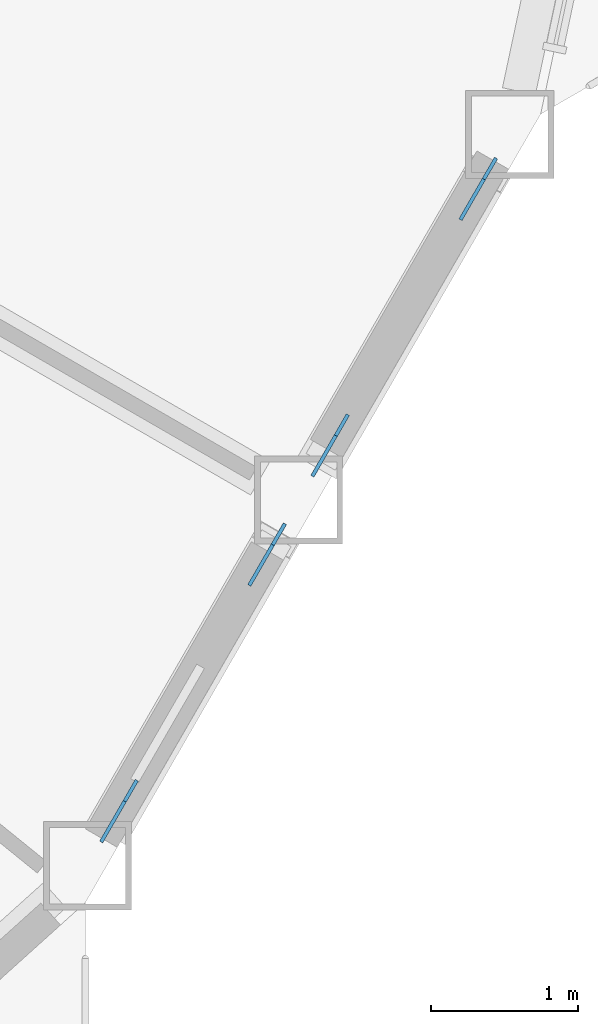
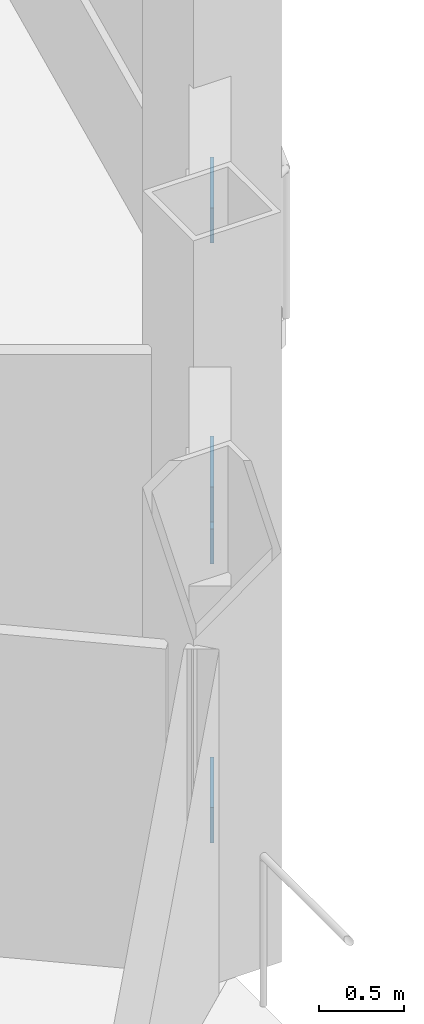
# One storey, part 21 of 27: 4 discrete accessories.
"""IFC4 building model written with IfcOpenShell, lengths in metres."""

import ifcopenshell
import ifcopenshell.guid

model = None  # the IFC model being written
_history = None  # IfcOwnerHistory: only IFC2X3 demands one
_inside = {}  # id of a spatial element -> (the spatial element, [elements in it])
_under = {}  # id of a project, library or spatial element -> (it, [spatial elements below it])
_declared = {}  # id of a project -> (the project, [libraries it declares])
_typed = {}  # id of a type object -> (the type object, [elements of that type])
_made_of = {}  # id of a material, layer set ... -> (it, [elements and type objects made of it])


def new_model(schema):
    """Start an empty IFC model of exactly this schema.

    Asked for "IFC4X3", IfcOpenShell would pick the latest addendum, in which some entities
    have other attributes; the version numbers below select the first issue.
    IFC2X3 requires an IfcOwnerHistory on every rooted entity: one is made here for all.
    """
    global model, _history
    if schema == "IFC4X3":
        model = ifcopenshell.file(schema_version=(4, 3, 0, 0))
    else:
        model = ifcopenshell.file(schema=schema)
    _inside.clear()
    _under.clear()
    _declared.clear()
    _typed.clear()
    _made_of.clear()
    _history = None
    if model.schema == "IFC2X3":
        org = make("IfcOrganization", Name="unknown")
        user = make(
            "IfcPersonAndOrganization",
            ThePerson=make("IfcPerson", FamilyName="unknown"),
            TheOrganization=org,
        )
        app = make(
            "IfcApplication",
            ApplicationDeveloper=org,
            Version="unknown",
            ApplicationFullName="unknown",
            ApplicationIdentifier="unknown",
        )
        _history = make(
            "IfcOwnerHistory",
            OwningUser=user,
            OwningApplication=app,
            ChangeAction="ADDED",
            CreationDate=0,
        )
    return model


def make(cls, **values):
    """One entity of the class cls with the attributes given. An attribute that is None is left unset."""
    return model.create_entity(
        cls, **{name: value for name, value in values.items() if value is not None}
    )


def rooted(cls, **values):
    """An entity with a GlobalId (a new one), such as an element, a storey or a relation."""
    return make(cls, GlobalId=ifcopenshell.guid.new(), OwnerHistory=_history, **values)


def si_unit(unit_type, name, prefix=None):
    """IfcSIUnit, for example si_unit("LENGTHUNIT", "METRE", prefix="MILLI")."""
    return make("IfcSIUnit", UnitType=unit_type, Prefix=prefix, Name=name)


def assignment(units):
    """IfcUnitAssignment: the units of a project."""
    return None if units is None else make("IfcUnitAssignment", Units=units)


def point(xyz):
    """IfcCartesianPoint."""
    return None if xyz is None else make("IfcCartesianPoint", Coordinates=xyz)


def direction(xyz):
    """IfcDirection."""
    return None if xyz is None else make("IfcDirection", DirectionRatios=xyz)


def frame(location, z_axis=None, x_axis=None):
    """IfcAxis2Placement3D, a coordinate frame: its origin and axes. An axis left out is left unset."""
    return make(
        "IfcAxis2Placement3D",
        Location=point(location),
        Axis=direction(z_axis),
        RefDirection=direction(x_axis),
    )


def frame_2d(location, x_axis=None):
    """IfcAxis2Placement2D, a coordinate frame in the plane: its origin and x axis."""
    return make(
        "IfcAxis2Placement2D", Location=point(location), RefDirection=direction(x_axis)
    )


def origin():
    """The frame at (0, 0, 0) with its axes left unset."""
    return frame((0.0, 0.0, 0.0))


def origin_2d():
    """The frame at (0, 0) in the plane with its x axis left unset."""
    return frame_2d((0.0, 0.0))


def place(relative_to, where):
    """IfcLocalPlacement: puts the frame where relative to a parent placement (None: the world)."""
    return make(
        "IfcLocalPlacement", PlacementRelTo=relative_to, RelativePlacement=where
    )


def context(
    kind, dimensions, precision=None, world=None, true_north=None, identifier=None
):
    """IfcGeometricRepresentationContext, for example the 3D "Model" context."""
    return make(
        "IfcGeometricRepresentationContext",
        ContextIdentifier=identifier,
        ContextType=kind,
        CoordinateSpaceDimension=dimensions,
        Precision=precision,
        WorldCoordinateSystem=world,
        TrueNorth=true_north,
    )


def subcontext(parent, identifier, kind, view, scale=None):
    """IfcGeometricRepresentationSubContext, for example "Body" below "Model"."""
    return make(
        "IfcGeometricRepresentationSubContext",
        ContextIdentifier=identifier,
        ContextType=kind,
        ParentContext=parent,
        TargetScale=scale,
        TargetView=view,
    )


def project(units=None, contexts=None):
    """IfcProject with its units and contexts."""
    return rooted(
        "IfcProject",
        Name="project",
        RepresentationContexts=contexts,
        UnitsInContext=assignment(units),
    )


def spatial(cls, under=None, at=None, **own):
    """A site, building, storey or space (cls), placed at a placement, below another one or the project."""
    s = rooted(cls, ObjectPlacement=at, **own)
    if under is not None:
        _under.setdefault(under.id(), (under, []))[1].append(s)
    return s


def profile(cls, at=None, kind="AREA", **sizes):
    """A parametric profile (cls). Its sizes go by their IFC names, for example OverallWidth=200.0."""
    return make(cls, ProfileType=kind, Position=at, **sizes)


def rectangle(**sizes):
    """IfcRectangleProfileDef."""
    return profile("IfcRectangleProfileDef", **sizes)


def extrude(swept, where, along, depth):
    """IfcExtrudedAreaSolid: the profile swept, set in the frame where, extruded along a direction by depth."""
    return make(
        "IfcExtrudedAreaSolid",
        SweptArea=swept,
        Position=where,
        ExtrudedDirection=direction(along),
        Depth=depth,
    )


def shape(context_of_items, identifier, shape_type, items):
    """IfcShapeRepresentation: the items that make up one representation, for example the "Body"."""
    return make(
        "IfcShapeRepresentation",
        ContextOfItems=context_of_items,
        RepresentationIdentifier=identifier,
        RepresentationType=shape_type,
        Items=items,
    )


def material(Name=None, Category=None):
    """IfcMaterial."""
    return make("IfcMaterial", Name=Name, Category=Category)


def material_profile(
    of_material, cross_section, Name=None, Category=None, Priority=None
):
    """IfcMaterialProfile: a cross section and its material."""
    return make(
        "IfcMaterialProfile",
        Name=Name,
        Material=of_material,
        Profile=cross_section,
        Priority=Priority,
        Category=Category,
    )


def profile_set(profiles, Name=None, composite=None):
    """IfcMaterialProfileSet."""
    return make(
        "IfcMaterialProfileSet",
        Name=Name,
        MaterialProfiles=profiles,
        CompositeProfile=composite,
    )


def made_of(thing, what):
    """Note that an element or type object is made of a material, layer set ...; save() writes the relation."""
    if what is not None:
        _made_of.setdefault(what.id(), (what, []))[1].append(thing)
    return thing


def type_object(cls, material=None, **own):
    """A type object (cls), such as IfcWallType, which elements share."""
    return made_of(rooted(cls, **own), material)


def element(
    cls,
    number,
    at=None,
    inside=None,
    cuts=None,
    type_object=None,
    material=None,
    context=None,
    identifier="Body",
    shape_type=None,
    held_by="IfcProductDefinitionShape",
    body=None,
    shapes=None,
    **own,
):
    """One element of the class cls, such as IfcWall. Its Tag is "e" and its number.

    at: its placement. inside: the storey or other place that contains it. cuts: it is an
    opening in that element (IfcRelVoidsElement). A single representation is given by context,
    identifier, shape_type and body (its items); several are given by shapes. held_by: the class
    of the entity that holds the representations. save() writes the other relations.
    """
    e = rooted(cls, Tag="e%d" % number, ObjectPlacement=at, **own)
    if body is not None:
        shapes = [shape(context, identifier, shape_type, body)]
    if shapes is not None:
        e.Representation = make(held_by, Representations=shapes)
    if inside is not None:
        _inside.setdefault(inside.id(), (inside, []))[1].append(e)
    if cuts is not None:
        rooted(
            "IfcRelVoidsElement", RelatingBuildingElement=cuts, RelatedOpeningElement=e
        )
    if type_object is not None:
        _typed.setdefault(type_object.id(), (type_object, []))[1].append(e)
    return made_of(e, material)


def aggregate(whole, parts):
    """IfcRelAggregates: a whole, such as a stair, and the parts it consists of."""
    return rooted("IfcRelAggregates", RelatingObject=whole, RelatedObjects=parts)


def save(model, path):
    """Write the relations noted so far, then the file.

    IfcRelAggregates (storeys below a building ...), IfcRelContainedInSpatialStructure (elements
    in a storey), IfcRelDefinesByType, IfcRelAssociatesMaterial and IfcRelDeclares: one each for
    every whole, place, type object, material and project.
    """
    for whole, parts in _under.values():
        aggregate(whole, parts)
    for where, things in _inside.values():
        rooted(
            "IfcRelContainedInSpatialStructure",
            RelatedElements=things,
            RelatingStructure=where,
        )
    for kind, things in _typed.values():
        rooted("IfcRelDefinesByType", RelatedObjects=things, RelatingType=kind)
    for what, things in _made_of.values():
        rooted("IfcRelAssociatesMaterial", RelatedObjects=things, RelatingMaterial=what)
    for by, libraries in _declared.values():
        rooted("IfcRelDeclares", RelatingContext=by, RelatedDefinitions=libraries)
    model.write(path)


model = new_model("IFC4")

# Units and contexts
model_context = context("Model", 3, precision=1e-05, world=origin(), true_north=direction((0.0, 1.0)))
body_context = subcontext(model_context, "Body", "Model", "MODEL_VIEW")
ifc_project = project(units=[si_unit("LENGTHUNIT", "METRE"), si_unit("AREAUNIT", "SQUARE_METRE"), si_unit("VOLUMEUNIT", "CUBIC_METRE"), si_unit("PLANEANGLEUNIT", "RADIAN"), si_unit("MASSUNIT", "GRAM", prefix="KILO")], contexts=[model_context])

# Site, building, storey
site_placement = place(None, origin())
site = spatial("IfcSite", under=ifc_project, at=site_placement, CompositionType="ELEMENT")
building_placement = place(site_placement, origin())
building = spatial("IfcBuilding", under=site, at=building_placement, Name="Cormorant Prow Tower", CompositionType="ELEMENT")
storey_placement = place(building_placement, frame((0.0, 0.0, 332.39990234375)))
storey = spatial("IfcBuildingStorey", under=building, at=storey_placement, Name="L74", CompositionType="ELEMENT", Elevation=332.39990234375)

# Discrete accessories
ifc_material = material(Name="Structural steel ASTM A500 Gr C", Category="steel")
ifc_material_profile = material_profile(ifc_material, rectangle(XDim=0.02490234375, YDim=0.405029296875, at=origin_2d()), Name="Gusset plate 25x405")
ifc_profile_set = profile_set([ifc_material_profile], Name="Structural steel ASTM A500 Gr C")
discrete_accessory_type = type_object("IfcDiscreteAccessoryType", Name="Gusset plate 25x405", PredefinedType="BRACKET", material=ifc_profile_set)
discrete_accessory_placement = place(storey_placement, frame((26.289794921875, -17.817138671875, 0.86376953125), z_axis=(-0.456791619277, -0.790144892581, -0.408671586101), x_axis=(0.865740004385, -0.50049400077, 0.0)))
element("IfcDiscreteAccessory", 1, at=discrete_accessory_placement, inside=storey, type_object=discrete_accessory_type, Name="Gusset plate GP3 L74.ESE00.g0", PredefinedType="BRACKET", context=body_context, shape_type="SweptSolid", body=[
    extrude(rectangle(XDim=0.02490234375, YDim=0.405029296875, at=origin_2d()), origin(), (0.0, 0.0, 1.0), 0.35009765625),
])
for number, where, z_axis, x_axis, name in (
    (2, (27.137939453125, -16.34765625, 1.624267578125), (0.45649114423, 0.790134518758, 0.409027233209), (-0.865879799044, 0.500252110048, 0.0), "Gusset plate GP3 L74.ESE00.g1"),
    (3, (27.7265625, -15.328369140625, 0.86376953125), (-0.456239480558, -0.790396531303, -0.408801736402), (0.866071029786, -0.499920965119, 0.0), "Gusset plate GP3 L74.ESE01.g0"),
    (4, (28.574951171875, -13.85888671875, 1.624267578125), (0.456239480558, 0.790396531303, 0.408801736402), (-0.866071029786, 0.499920965119, 0.0), "Gusset plate GP3 L74.ESE01.g1"),
):
    element("IfcDiscreteAccessory", number, at=place(storey_placement, frame(where, z_axis=z_axis, x_axis=x_axis)), inside=storey, type_object=discrete_accessory_type, Name=name, PredefinedType="BRACKET", context=body_context, shape_type="SweptSolid", body=[
        extrude(rectangle(XDim=0.02490234375, YDim=0.405029296875, at=origin_2d()), origin(), (0.0, 0.0, 1.0), 0.349853515625),
    ])

save(model, "model.ifc")
